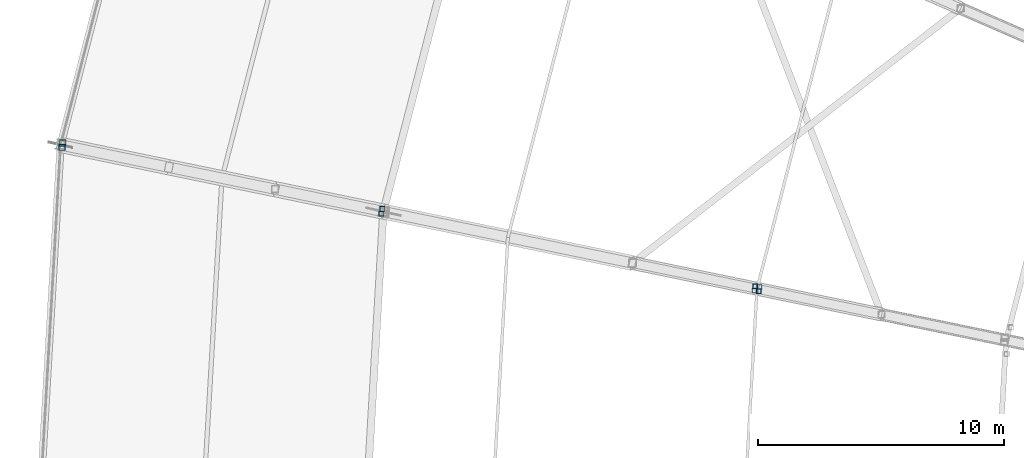
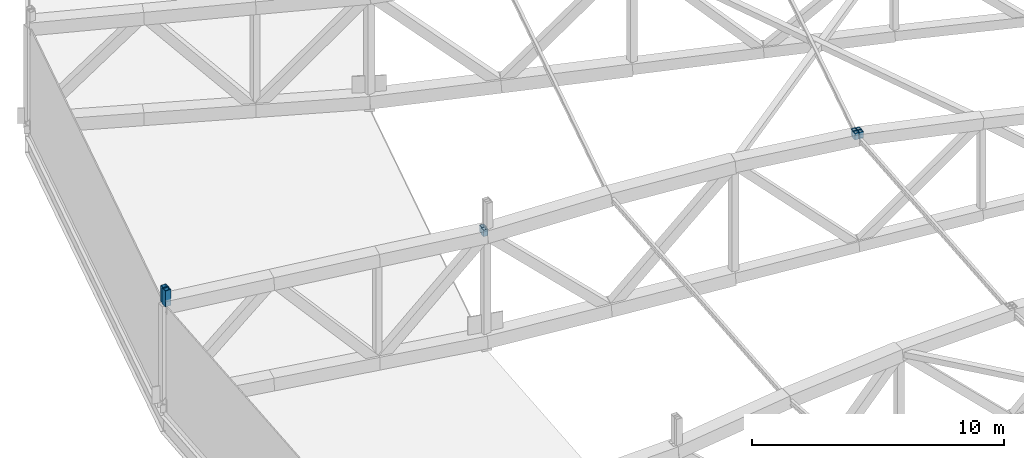
# One storey, part 108 of 162: 8 members.
"""IFC4 building model written with IfcOpenShell, lengths in metres."""

import ifcopenshell
import ifcopenshell.guid

model = None  # the IFC model being written
_history = None  # IfcOwnerHistory: only IFC2X3 demands one
_inside = {}  # id of a spatial element -> (the spatial element, [elements in it])
_under = {}  # id of a project, library or spatial element -> (it, [spatial elements below it])
_declared = {}  # id of a project -> (the project, [libraries it declares])
_typed = {}  # id of a type object -> (the type object, [elements of that type])
_made_of = {}  # id of a material, layer set ... -> (it, [elements and type objects made of it])


def new_model(schema):
    """Start an empty IFC model of exactly this schema.

    Asked for "IFC4X3", IfcOpenShell would pick the latest addendum, in which some entities
    have other attributes; the version numbers below select the first issue.
    IFC2X3 requires an IfcOwnerHistory on every rooted entity: one is made here for all.
    """
    global model, _history
    if schema == "IFC4X3":
        model = ifcopenshell.file(schema_version=(4, 3, 0, 0))
    else:
        model = ifcopenshell.file(schema=schema)
    _inside.clear()
    _under.clear()
    _declared.clear()
    _typed.clear()
    _made_of.clear()
    _history = None
    if model.schema == "IFC2X3":
        org = make("IfcOrganization", Name="unknown")
        user = make(
            "IfcPersonAndOrganization",
            ThePerson=make("IfcPerson", FamilyName="unknown"),
            TheOrganization=org,
        )
        app = make(
            "IfcApplication",
            ApplicationDeveloper=org,
            Version="unknown",
            ApplicationFullName="unknown",
            ApplicationIdentifier="unknown",
        )
        _history = make(
            "IfcOwnerHistory",
            OwningUser=user,
            OwningApplication=app,
            ChangeAction="ADDED",
            CreationDate=0,
        )
    return model


def make(cls, **values):
    """One entity of the class cls with the attributes given. An attribute that is None is left unset."""
    return model.create_entity(
        cls, **{name: value for name, value in values.items() if value is not None}
    )


def rooted(cls, **values):
    """An entity with a GlobalId (a new one), such as an element, a storey or a relation."""
    return make(cls, GlobalId=ifcopenshell.guid.new(), OwnerHistory=_history, **values)


def si_unit(unit_type, name, prefix=None):
    """IfcSIUnit, for example si_unit("LENGTHUNIT", "METRE", prefix="MILLI")."""
    return make("IfcSIUnit", UnitType=unit_type, Prefix=prefix, Name=name)


def assignment(units):
    """IfcUnitAssignment: the units of a project."""
    return None if units is None else make("IfcUnitAssignment", Units=units)


def point(xyz):
    """IfcCartesianPoint."""
    return None if xyz is None else make("IfcCartesianPoint", Coordinates=xyz)


def direction(xyz):
    """IfcDirection."""
    return None if xyz is None else make("IfcDirection", DirectionRatios=xyz)


def frame(location, z_axis=None, x_axis=None):
    """IfcAxis2Placement3D, a coordinate frame: its origin and axes. An axis left out is left unset."""
    return make(
        "IfcAxis2Placement3D",
        Location=point(location),
        Axis=direction(z_axis),
        RefDirection=direction(x_axis),
    )


def frame_2d(location, x_axis=None):
    """IfcAxis2Placement2D, a coordinate frame in the plane: its origin and x axis."""
    return make(
        "IfcAxis2Placement2D", Location=point(location), RefDirection=direction(x_axis)
    )


def origin():
    """The frame at (0, 0, 0) with its axes left unset."""
    return frame((0.0, 0.0, 0.0))


def origin_2d():
    """The frame at (0, 0) in the plane with its x axis left unset."""
    return frame_2d((0.0, 0.0))


def place(relative_to, where):
    """IfcLocalPlacement: puts the frame where relative to a parent placement (None: the world)."""
    return make(
        "IfcLocalPlacement", PlacementRelTo=relative_to, RelativePlacement=where
    )


def context(
    kind, dimensions, precision=None, world=None, true_north=None, identifier=None
):
    """IfcGeometricRepresentationContext, for example the 3D "Model" context."""
    return make(
        "IfcGeometricRepresentationContext",
        ContextIdentifier=identifier,
        ContextType=kind,
        CoordinateSpaceDimension=dimensions,
        Precision=precision,
        WorldCoordinateSystem=world,
        TrueNorth=true_north,
    )


def subcontext(parent, identifier, kind, view, scale=None):
    """IfcGeometricRepresentationSubContext, for example "Body" below "Model"."""
    return make(
        "IfcGeometricRepresentationSubContext",
        ContextIdentifier=identifier,
        ContextType=kind,
        ParentContext=parent,
        TargetScale=scale,
        TargetView=view,
    )


def project(units=None, contexts=None):
    """IfcProject with its units and contexts."""
    return rooted(
        "IfcProject",
        Name="project",
        RepresentationContexts=contexts,
        UnitsInContext=assignment(units),
    )


def spatial(cls, under=None, at=None, **own):
    """A site, building, storey or space (cls), placed at a placement, below another one or the project."""
    s = rooted(cls, ObjectPlacement=at, **own)
    if under is not None:
        _under.setdefault(under.id(), (under, []))[1].append(s)
    return s


def profile(cls, at=None, kind="AREA", **sizes):
    """A parametric profile (cls). Its sizes go by their IFC names, for example OverallWidth=200.0."""
    return make(cls, ProfileType=kind, Position=at, **sizes)


def hollow_rectangle(**sizes):
    """IfcRectangleHollowProfileDef."""
    return profile("IfcRectangleHollowProfileDef", **sizes)


def extrude(swept, where, along, depth):
    """IfcExtrudedAreaSolid: the profile swept, set in the frame where, extruded along a direction by depth."""
    return make(
        "IfcExtrudedAreaSolid",
        SweptArea=swept,
        Position=where,
        ExtrudedDirection=direction(along),
        Depth=depth,
    )


def shape(context_of_items, identifier, shape_type, items):
    """IfcShapeRepresentation: the items that make up one representation, for example the "Body"."""
    return make(
        "IfcShapeRepresentation",
        ContextOfItems=context_of_items,
        RepresentationIdentifier=identifier,
        RepresentationType=shape_type,
        Items=items,
    )


def material(Name=None, Category=None):
    """IfcMaterial."""
    return make("IfcMaterial", Name=Name, Category=Category)


def material_profile(
    of_material, cross_section, Name=None, Category=None, Priority=None
):
    """IfcMaterialProfile: a cross section and its material."""
    return make(
        "IfcMaterialProfile",
        Name=Name,
        Material=of_material,
        Profile=cross_section,
        Priority=Priority,
        Category=Category,
    )


def profile_set(profiles, Name=None, composite=None):
    """IfcMaterialProfileSet."""
    return make(
        "IfcMaterialProfileSet",
        Name=Name,
        MaterialProfiles=profiles,
        CompositeProfile=composite,
    )


def made_of(thing, what):
    """Note that an element or type object is made of a material, layer set ...; save() writes the relation."""
    if what is not None:
        _made_of.setdefault(what.id(), (what, []))[1].append(thing)
    return thing


def type_object(cls, material=None, **own):
    """A type object (cls), such as IfcWallType, which elements share."""
    return made_of(rooted(cls, **own), material)


def element(
    cls,
    number,
    at=None,
    inside=None,
    cuts=None,
    type_object=None,
    material=None,
    context=None,
    identifier="Body",
    shape_type=None,
    held_by="IfcProductDefinitionShape",
    body=None,
    shapes=None,
    **own,
):
    """One element of the class cls, such as IfcWall. Its Tag is "e" and its number.

    at: its placement. inside: the storey or other place that contains it. cuts: it is an
    opening in that element (IfcRelVoidsElement). A single representation is given by context,
    identifier, shape_type and body (its items); several are given by shapes. held_by: the class
    of the entity that holds the representations. save() writes the other relations.
    """
    e = rooted(cls, Tag="e%d" % number, ObjectPlacement=at, **own)
    if body is not None:
        shapes = [shape(context, identifier, shape_type, body)]
    if shapes is not None:
        e.Representation = make(held_by, Representations=shapes)
    if inside is not None:
        _inside.setdefault(inside.id(), (inside, []))[1].append(e)
    if cuts is not None:
        rooted(
            "IfcRelVoidsElement", RelatingBuildingElement=cuts, RelatedOpeningElement=e
        )
    if type_object is not None:
        _typed.setdefault(type_object.id(), (type_object, []))[1].append(e)
    return made_of(e, material)


def aggregate(whole, parts):
    """IfcRelAggregates: a whole, such as a stair, and the parts it consists of."""
    return rooted("IfcRelAggregates", RelatingObject=whole, RelatedObjects=parts)


def save(model, path):
    """Write the relations noted so far, then the file.

    IfcRelAggregates (storeys below a building ...), IfcRelContainedInSpatialStructure (elements
    in a storey), IfcRelDefinesByType, IfcRelAssociatesMaterial and IfcRelDeclares: one each for
    every whole, place, type object, material and project.
    """
    for whole, parts in _under.values():
        aggregate(whole, parts)
    for where, things in _inside.values():
        rooted(
            "IfcRelContainedInSpatialStructure",
            RelatedElements=things,
            RelatingStructure=where,
        )
    for kind, things in _typed.values():
        rooted("IfcRelDefinesByType", RelatedObjects=things, RelatingType=kind)
    for what, things in _made_of.values():
        rooted("IfcRelAssociatesMaterial", RelatedObjects=things, RelatingMaterial=what)
    for by, libraries in _declared.values():
        rooted("IfcRelDeclares", RelatingContext=by, RelatedDefinitions=libraries)
    model.write(path)


model = new_model("IFC4")

# Units and contexts
model_context = context("Model", 3, precision=1e-05, world=origin(), true_north=direction((0.0, 1.0)))
body_context = subcontext(model_context, "Body", "Model", "MODEL_VIEW")
ifc_project = project(units=[si_unit("LENGTHUNIT", "METRE"), si_unit("AREAUNIT", "SQUARE_METRE"), si_unit("VOLUMEUNIT", "CUBIC_METRE"), si_unit("PLANEANGLEUNIT", "RADIAN"), si_unit("MASSUNIT", "GRAM", prefix="KILO")], contexts=[model_context])

# Site, building, storey
site_placement = place(None, origin())
site = spatial("IfcSite", under=ifc_project, at=site_placement, CompositionType="ELEMENT")
building_placement = place(site_placement, origin())
building = spatial("IfcBuilding", under=site, at=building_placement, Name="Kazemori Nagisa Stadium", CompositionType="ELEMENT")
storey_placement = place(building_placement, frame((0.0, 0.0, 36.719970703125)))
storey = spatial("IfcBuildingStorey", under=building, at=storey_placement, Name="RF", CompositionType="ELEMENT", Elevation=36.719970703125)

# Members
ifc_material = material(Name="Steel STKR490", Category="steel")
ifc_material_profile_1 = material_profile(ifc_material, hollow_rectangle(XDim=0.25, YDim=0.25, WallThickness=0.011962890625, at=origin_2d()), Name="SHS-250x250x12")
ifc_profile_set_1 = profile_set([ifc_material_profile_1], Name="Steel STKR490")
member_type_1 = type_object("IfcMemberType", Name="Member_ST-SHS250", PredefinedType="STUD", material=ifc_profile_set_1)
for number, where, z_axis, x_axis, name in (
    (1, (29.210205078125, 121.475830078125, 5.10009765625), (0.0, 0.0, 1.0), (1.0, 0.0, 0.0), "Canopy bearing stool B13-outer-2"),
    (2, (29.1796875, 121.2939453125, 5.10009765625), (0.0, 0.0, 1.0), (1.0, 0.0, 0.0), "Canopy bearing stool B14-outer-1"),
):
    element("IfcMember", number, at=place(storey_placement, frame(where, z_axis=z_axis, x_axis=x_axis)), inside=storey, type_object=member_type_1, Name=name, PredefinedType="STUD", context=body_context, shape_type="SweptSolid", body=[
        extrude(hollow_rectangle(XDim=0.25, YDim=0.25, WallThickness=0.011962890625, at=origin_2d()), origin(), (0.0, 0.0, 1.0), 0.77490234375),
    ])
ifc_material_profile_2 = material_profile(ifc_material, hollow_rectangle(XDim=0.199951171875, YDim=0.199951171875, WallThickness=0.009033203125, at=origin_2d()), Name="SHS-200x200x9")
ifc_profile_set_2 = profile_set([ifc_material_profile_2], Name="Steel STKR490")
member_type_2 = type_object("IfcMemberType", Name="Member_TS-SHS200", PredefinedType="STRUT", material=ifc_profile_set_2)
for number, where, z_axis, x_axis, name in (
    (3, (42.217041015625, 118.79296875, 5.56005859375), (0.0, 0.0, 1.0), (1.0, 0.0, 0.0), "Canopy bearing stool B13-outer-3"),
    (4, (57.407958984375, 115.6416015625, 6.81201171875), (0.0, 0.0, 1.0), (1.0, 0.0, 0.0), "Canopy bearing stool B13-mid-3"),
    (5, (57.56591796875, 115.61328125, 6.81201171875), (0.0, 0.0, 1.0), (1.0, 0.0, 0.0), "Canopy bearing stool B13-inner-2"),
    (6, (42.180908203125, 118.593994140625, 5.56005859375), (0.0, 0.0, 1.0), (1.0, 0.0, 0.0), "Canopy bearing stool B14-outer-4"),
):
    element("IfcMember", number, at=place(storey_placement, frame(where, z_axis=z_axis, x_axis=x_axis)), inside=storey, type_object=member_type_2, Name=name, PredefinedType="STRUT", context=body_context, shape_type="SweptSolid", body=[
        extrude(hollow_rectangle(XDim=0.199951171875, YDim=0.199951171875, WallThickness=0.009033203125, at=origin_2d()), origin(), (0.0, 0.0, 1.0), 0.31494140625),
    ])
for number, where, z_axis, x_axis, name in (
    (7, (57.375, 115.468017578125, 6.81201171875), (0.0, 0.0, 1.0), (1.0, 0.0, 0.0), "Canopy bearing stool B14-mid-4"),
    (8, (57.536376953125, 115.438720703125, 6.81201171875), (0.0, 0.0, 1.0), (1.0, 0.0, 0.0), "Canopy bearing stool B14-inner-1"),
):
    element("IfcMember", number, at=place(storey_placement, frame(where, z_axis=z_axis, x_axis=x_axis)), inside=storey, type_object=member_type_2, Name=name, PredefinedType="STRUT", context=body_context, shape_type="SweptSolid", body=[
        extrude(hollow_rectangle(XDim=0.199951171875, YDim=0.199951171875, WallThickness=0.009033203125, at=origin_2d()), origin(), (0.0, 0.0, 1.0), 0.3330078125),
    ])

save(model, "model.ifc")
